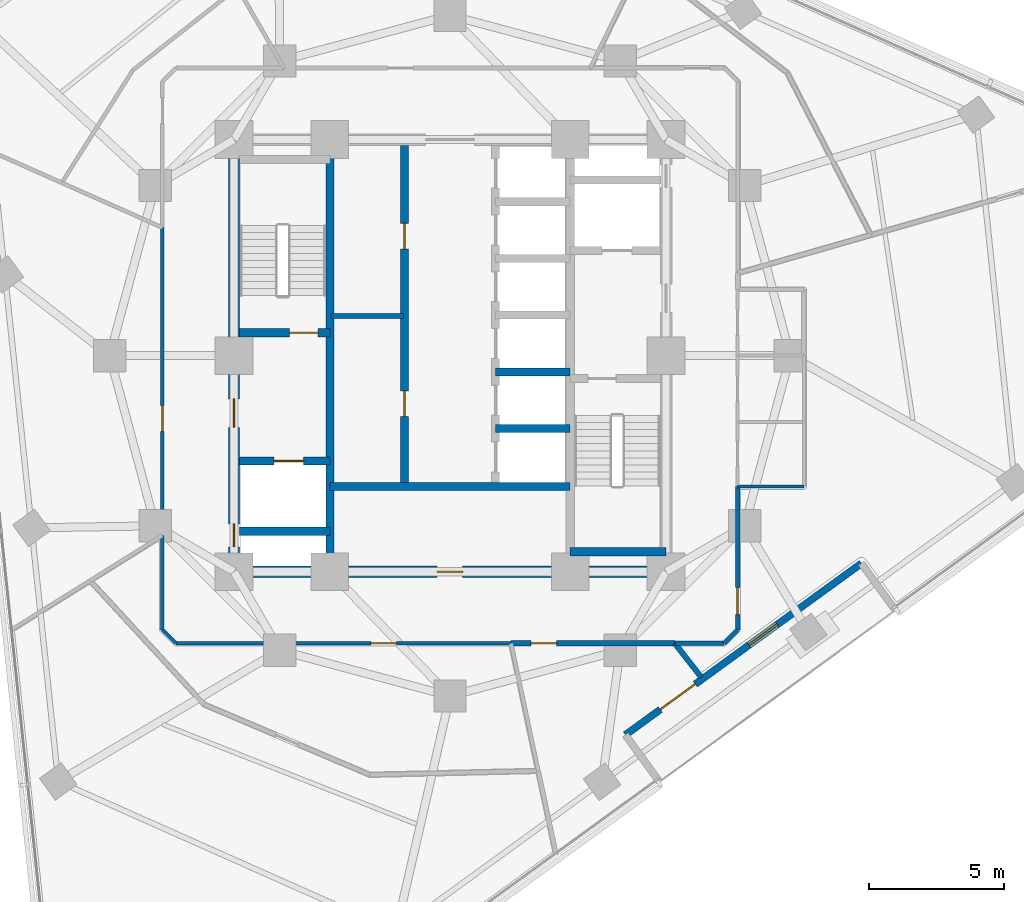
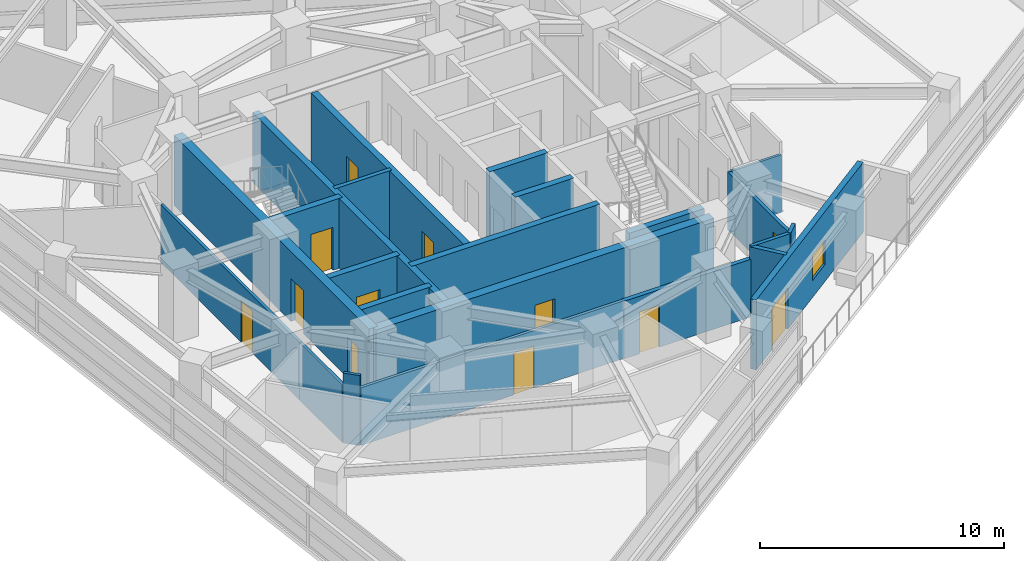
# One storey, part 8 of 14: 23 walls, 12 doors, 1 window, 13 openings.
"""IFC4 building model written with IfcOpenShell, lengths in metres."""

from ifc_helpers import new_model, si_unit, direction, frame, frame_2d, origin, place, context, subcontext, project, spatial, rectangle, extrude, material, layer, layer_set, type_object, element, fill, save


model = new_model("IFC4")

# Units and contexts
model_context = context("Model", 3, precision=1e-05, world=origin(), true_north=direction((0.0, 1.0)))
body_context = subcontext(model_context, "Body", "Model", "MODEL_VIEW")
ifc_project = project(units=[si_unit("LENGTHUNIT", "METRE"), si_unit("AREAUNIT", "SQUARE_METRE"), si_unit("VOLUMEUNIT", "CUBIC_METRE"), si_unit("PLANEANGLEUNIT", "RADIAN"), si_unit("MASSUNIT", "GRAM", prefix="KILO")], contexts=[model_context])

# Site, building, storey
site_placement = place(None, origin())
site = spatial("IfcSite", under=ifc_project, at=site_placement, CompositionType="ELEMENT")
building_placement = place(site_placement, origin())
building = spatial("IfcBuilding", under=site, at=building_placement, Name="Terralouvre Media Tower", CompositionType="ELEMENT")
storey_placement = place(building_placement, frame((0.0, 0.0, 158.300048828125)))
storey = spatial("IfcBuildingStorey", under=building, at=storey_placement, Name="L40", CompositionType="ELEMENT", Elevation=158.300048828125)

# Wall
ifc_material_1 = material(Name="Concrete C50/60", Category="concrete")
ifc_layer_1 = layer(ifc_material_1, 0.300048828125, Name="Core Internal Shaft Wall CW-300")
ifc_layer_set_1 = layer_set([ifc_layer_1], Name="Concrete C50/60")
wall_type_1 = type_object("IfcWallType", Name="Core Internal Shaft Wall CW-300", PredefinedType="SHEAR", material=ifc_layer_set_1)
wall_1_placement = place(storey_placement, frame((-4.449951171875, -7.7900390625, 0.0), z_axis=(0.0, 0.0, 1.0), x_axis=(0.0, 1.0, 0.0)))
element("IfcWall", 1, at=wall_1_placement, inside=storey, type_object=wall_type_1, Name="L40 Core Shaft Wall SPW", PredefinedType="SHEAR", context=body_context, shape_type="SweptSolid", body=[
    extrude(rectangle(XDim=15.580078125, YDim=0.300048828125, at=frame_2d((7.7900390625, 0.0))), origin(), (0.0, 0.0, 1.0), 3.5),
])

# Wall, opening, door
wall_2_placement = place(storey_placement, frame((-7.7900390625, 0.85009765625, 0.0), z_axis=(0.0, 0.0, 1.0), x_axis=(1.0, 0.0, 0.0)))
wall_2 = element("IfcWall", 2, at=wall_2_placement, inside=storey, type_object=wall_type_1, Name="L40 Core Shaft Wall ST1D", PredefinedType="SHEAR", context=body_context, shape_type="SweptSolid", body=[
    extrude(rectangle(XDim=3.340087890625, YDim=0.300048828125, at=frame_2d((1.669921875, 0.0))), origin(), (0.0, 0.0, 1.0), 3.5),
])
opening_1_placement = place(wall_2_placement, frame((1.85009765625, 0.0, 0.0)))
opening_1 = element("IfcOpeningElement", 3, at=opening_1_placement, cuts=wall_2, Name="Opening FD-01-105X215", PredefinedType="OPENING", context=body_context, shape_type="SweptSolid", body=[
    extrude(rectangle(XDim=1.050048828125, YDim=2.14990234375, at=frame_2d((0.52490234375, 1.074951171875))), frame((0.0, 0.159912109375, 0.0), z_axis=(0.0, -1.0, 0.0), x_axis=(1.0, 0.0, 0.0)), (0.0, 0.0, 1.0), 0.320068359375),
])
ifc_material_2 = material(Name="Galvanised steel fire-resisting leaf", Category="steel")
door_type_1 = type_object("IfcDoorType", Name="Stair and Firefighting Lobby Fire Door FD-01 (1050x2150)", OperationType="NOTDEFINED", PredefinedType="DOOR", material=ifc_material_2)
door_1_placement = place(opening_1_placement, origin())
door_1 = element("IfcDoor", 4, at=door_1_placement, inside=storey, type_object=door_type_1, Name="L40 ST-01 Exit Stair Door", OperationType="SINGLE_SWING_LEFT", OverallHeight=2.14990234375, OverallWidth=1.050048828125, PredefinedType="DOOR", context=body_context, shape_type="SweptSolid", body=[
    extrude(rectangle(XDim=1.050048828125, YDim=2.14990234375, at=frame_2d((0.52490234375, 1.074951171875))), frame((0.0, 0.02490234375, 0.0), z_axis=(0.0, -1.0, 0.0), x_axis=(1.0, 0.0, 0.0)), (0.0, 0.0, 1.0), 0.050048828125),
])
fill(opening_1, door_1)

# Wall
wall_3_placement = place(storey_placement, frame((4.449951171875, -7.260009765625, 0.0), z_axis=(0.0, 0.0, 1.0), x_axis=(1.0, 0.0, 0.0)))
element("IfcWall", 5, at=wall_3_placement, inside=storey, type_object=wall_type_1, Name="L40 Core Shaft Wall ST2F", PredefinedType="SHEAR", context=body_context, shape_type="SweptSolid", body=[
    extrude(rectangle(XDim=3.550048828125, YDim=0.300048828125, at=frame_2d((1.77490234375, 0.0))), origin(), (0.0, 0.0, 1.0), 3.5),
])

# Wall, opening, door
wall_4_placement = place(storey_placement, frame((-7.7900390625, -3.89990234375, 0.0), z_axis=(0.0, 0.0, 1.0), x_axis=(1.0, 0.0, 0.0)))
wall_4 = element("IfcWall", 6, at=wall_4_placement, inside=storey, type_object=wall_type_1, Name="L40 Core Shaft Wall FF1N", PredefinedType="SHEAR", context=body_context, shape_type="SweptSolid", body=[
    extrude(rectangle(XDim=3.340087890625, YDim=0.300048828125, at=frame_2d((1.669921875, 0.0))), origin(), (0.0, 0.0, 1.0), 3.5),
])
opening_2_placement = place(wall_4_placement, frame((1.27001953125, 0.0, 0.0)))
opening_2 = element("IfcOpeningElement", 7, at=opening_2_placement, cuts=wall_4, Name="Opening LD-FF", PredefinedType="OPENING", context=body_context, shape_type="SweptSolid", body=[
    extrude(rectangle(XDim=1.10009765625, YDim=2.10009765625, at=frame_2d((0.550048828125, 1.050048828125))), frame((0.0, 0.159912109375, 0.0), z_axis=(0.0, -1.0, 0.0), x_axis=(1.0, 0.0, 0.0)), (0.0, 0.0, 1.0), 0.320068359375),
])
ifc_material_3 = material(Name="Stainless steel 316 handrail and balustrade", Category="steel")
door_type_2 = type_object("IfcDoorType", Name="Firefighting Lift Sliding Landing Door LD-FF", OperationType="SLIDING_TO_LEFT", PredefinedType="DOOR", material=ifc_material_3)
door_2_placement = place(opening_2_placement, origin())
door_2 = element("IfcDoor", 8, at=door_2_placement, inside=storey, type_object=door_type_2, Name="L40 Firefighting Lift FFL-01 Landing Door", OperationType="SLIDING_TO_LEFT", OverallHeight=2.10009765625, OverallWidth=1.10009765625, PredefinedType="DOOR", context=body_context, shape_type="SweptSolid", body=[
    extrude(rectangle(XDim=1.10009765625, YDim=2.10009765625, at=frame_2d((0.550048828125, 1.050048828125))), frame((0.0, 0.02490234375, 0.0), z_axis=(0.0, -1.0, 0.0), x_axis=(1.0, 0.0, 0.0)), (0.0, 0.0, 1.0), 0.050048828125),
])
fill(opening_2, door_2)

# Walls
wall_5_placement = place(storey_placement, frame((-7.7900390625, -6.5, 0.0), z_axis=(0.0, 0.0, 1.0), x_axis=(1.0, 0.0, 0.0)))
element("IfcWall", 9, at=wall_5_placement, inside=storey, type_object=wall_type_1, Name="L40 Core Shaft Wall FF1S", PredefinedType="SHEAR", context=body_context, shape_type="SweptSolid", body=[
    extrude(rectangle(XDim=3.340087890625, YDim=0.300048828125, at=frame_2d((1.669921875, 0.0))), origin(), (0.0, 0.0, 1.0), 3.5),
])
wall_6_placement = place(storey_placement, frame((-4.449951171875, -4.85009765625, 0.0), z_axis=(0.0, 0.0, 1.0), x_axis=(1.0, 0.0, 0.0)))
element("IfcWall", 10, at=wall_6_placement, inside=storey, type_object=wall_type_1, Name="L40 Core Shaft Wall CSBN", PredefinedType="SHEAR", context=body_context, shape_type="SweptSolid", body=[
    extrude(rectangle(XDim=8.89990234375, YDim=0.300048828125, at=frame_2d((4.449951171875, 0.0))), origin(), (0.0, 0.0, 1.0), 3.5),
])

# Wall, openings, doors
wall_7_placement = place(storey_placement, frame((-1.679931640625, -4.85009765625, 0.0), z_axis=(0.0, 0.0, 1.0), x_axis=(0.0, 1.0, 0.0)))
wall_7 = element("IfcWall", 11, at=wall_7_placement, inside=storey, type_object=wall_type_1, Name="L40 Core Shaft Wall LBW", PredefinedType="SHEAR", context=body_context, shape_type="SweptSolid", body=[
    extrude(rectangle(XDim=12.64013671875, YDim=0.300048828125, at=frame_2d((6.320068359375, 0.0))), origin(), (0.0, 0.0, 1.0), 3.5),
])
opening_3_placement = place(wall_7_placement, frame((2.60009765625, 0.0, 0.0)))
opening_3 = element("IfcOpeningElement", 12, at=opening_3_placement, cuts=wall_7, Name="Opening FD-02-95X210", PredefinedType="OPENING", context=body_context, shape_type="SweptSolid", body=[
    extrude(rectangle(XDim=0.949951171875, YDim=2.10009765625, at=frame_2d((0.47509765625, 1.050048828125))), frame((0.0, 0.159912109375, 0.0), z_axis=(0.0, -1.0, 0.0), x_axis=(1.0, 0.0, 0.0)), (0.0, 0.0, 1.0), 0.320068359375),
])
opening_4_placement = place(wall_7_placement, frame((8.800048828125, 0.0, 0.0)))
opening_4 = element("IfcOpeningElement", 13, at=opening_4_placement, cuts=wall_7, Name="Opening FD-04-95X210", PredefinedType="OPENING", context=body_context, shape_type="SweptSolid", body=[
    extrude(rectangle(XDim=0.949951171875, YDim=2.10009765625, at=frame_2d((0.47509765625, 1.050048828125))), frame((0.0, 0.159912109375, 0.0), z_axis=(0.0, -1.0, 0.0), x_axis=(1.0, 0.0, 0.0)), (0.0, 0.0, 1.0), 0.320068359375),
])
ifc_material_4 = material(Name="Galvanised steel fire-resisting leaf", Category="steel")
door_type_3 = type_object("IfcDoorType", Name="Core Store and Service Fire Door FD-04 (950x2100)", OperationType="NOTDEFINED", PredefinedType="DOOR", material=ifc_material_4)
door_3_placement = place(opening_4_placement, origin())
door_3 = element("IfcDoor", 14, at=door_3_placement, inside=storey, type_object=door_type_3, Name="L40 Core Linen Store Door", OperationType="SINGLE_SWING_RIGHT", OverallHeight=2.10009765625, OverallWidth=0.949951171875, PredefinedType="DOOR", context=body_context, shape_type="SweptSolid", body=[
    extrude(rectangle(XDim=0.949951171875, YDim=2.10009765625, at=frame_2d((0.47509765625, 1.050048828125))), frame((0.0, 0.02490234375, 0.0), z_axis=(0.0, -1.0, 0.0), x_axis=(1.0, 0.0, 0.0)), (0.0, 0.0, 1.0), 0.050048828125),
])
fill(opening_4, door_3)
ifc_material_5 = material(Name="Galvanised steel fire-resisting leaf", Category="steel")
door_type_4 = type_object("IfcDoorType", Name="Plant and Riser Fire Door FD-02 (950x2100)", OperationType="NOTDEFINED", PredefinedType="DOOR", material=ifc_material_5)
door_4_placement = place(opening_3_placement, origin())
door_4 = element("IfcDoor", 15, at=door_4_placement, inside=storey, type_object=door_type_4, Name="L40 Core Fibre Patch Plant Door", OperationType="SINGLE_SWING_LEFT", OverallHeight=2.10009765625, OverallWidth=0.949951171875, PredefinedType="DOOR", context=body_context, shape_type="SweptSolid", body=[
    extrude(rectangle(XDim=0.949951171875, YDim=2.10009765625, at=frame_2d((0.47509765625, 1.050048828125))), frame((0.0, 0.02490234375, 0.0), z_axis=(0.0, -1.0, 0.0), x_axis=(1.0, 0.0, 0.0)), (0.0, 0.0, 1.0), 0.050048828125),
])
fill(opening_3, door_4)

# Walls
for number, where, z_axis, x_axis, name in (
    (16, (1.679931640625, -2.699951171875, 0.0), (0.0, 0.0, 1.0), (1.0, 0.0, 0.0), "L40 Core Shaft Wall PLHD1"),
    (17, (1.679931640625, -0.60009765625, 0.0), (0.0, 0.0, 1.0), (1.0, 0.0, 0.0), "L40 Core Shaft Wall PLHD2"),
):
    element("IfcWall", number, at=place(storey_placement, frame(where, z_axis=z_axis, x_axis=x_axis)), inside=storey, type_object=wall_type_1, Name=name, PredefinedType="SHEAR", context=body_context, shape_type="SweptSolid", body=[
        extrude(rectangle(XDim=2.77001953125, YDim=0.300048828125, at=frame_2d((1.385009765625, 0.0))), origin(), (0.0, 0.0, 1.0), 3.5),
    ])

# Wall, openings, doors
ifc_material_6 = material(Name="Concrete C60/75", Category="concrete")
ifc_layer_2 = layer(ifc_material_6, 0.419921875, Name="Core Reinforced Concrete Shear Wall CW-420")
ifc_layer_set_2 = layer_set([ifc_layer_2], Name="Concrete C60/75")
wall_type_2 = type_object("IfcWallType", Name="Core Reinforced Concrete Shear Wall CW-420", PredefinedType="SHEAR", material=ifc_layer_set_2)
wall_8_placement = place(storey_placement, frame((-8.0, -8.0, 0.0), z_axis=(0.0, 0.0, 1.0), x_axis=(0.0, 1.0, 0.0)))
wall_8 = element("IfcWall", 18, at=wall_8_placement, inside=storey, type_object=wall_type_2, Name="L40 W Core Shear Wall", PredefinedType="SHEAR", context=body_context, shape_type="SweptSolid", body=[
    extrude(rectangle(XDim=16.0, YDim=0.419921875, at=frame_2d((8.0, 0.0))), origin(), (0.0, 0.0, 1.0), 3.5),
])
opening_5_placement = place(wall_8_placement, frame((0.921630859375, 0.0, 0.0)))
opening_5 = element("IfcOpeningElement", 19, at=opening_5_placement, cuts=wall_8, Name="Opening TD-R1", PredefinedType="OPENING", context=body_context, shape_type="SweptSolid", body=[
    extrude(rectangle(XDim=0.85009765625, YDim=2.02001953125, at=frame_2d((0.425048828125, 1.010009765625))), frame((0.0, 0.219970703125, 0.0), z_axis=(0.0, -1.0, 0.0), x_axis=(1.0, 0.0, 0.0)), (0.0, 0.0, 1.0), 0.43994140625),
])
opening_6_placement = place(wall_8_placement, frame((5.35009765625, 0.0, 0.0)))
opening_6 = element("IfcOpeningElement", 20, at=opening_6_placement, cuts=wall_8, Name="Opening FD-01-105X215", PredefinedType="OPENING", context=body_context, shape_type="SweptSolid", body=[
    extrude(rectangle(XDim=1.050048828125, YDim=2.14990234375, at=frame_2d((0.52490234375, 1.074951171875))), frame((0.0, 0.219970703125, 0.0), z_axis=(0.0, -1.0, 0.0), x_axis=(1.0, 0.0, 0.0)), (0.0, 0.0, 1.0), 0.43994140625),
])
ifc_material_7 = material(Name="Galvanised steel fire-resisting leaf", Category="steel")
door_type_5 = type_object("IfcDoorType", Name="Riser Inspection Access Trapdoor TD-R1", OperationType="NOTDEFINED", PredefinedType="TRAPDOOR", material=ifc_material_7)
door_5_placement = place(opening_5_placement, origin())
door_5 = element("IfcDoor", 21, at=door_5_placement, inside=storey, type_object=door_type_5, Name="L40 Wet Riser Access Trapdoor", OperationType="SINGLE_SWING_LEFT", OverallHeight=2.02001953125, OverallWidth=0.85009765625, PredefinedType="TRAPDOOR", context=body_context, shape_type="SweptSolid", body=[
    extrude(rectangle(XDim=0.85009765625, YDim=2.02001953125, at=frame_2d((0.425048828125, 1.010009765625))), frame((0.0, 0.02490234375, 0.0), z_axis=(0.0, -1.0, 0.0), x_axis=(1.0, 0.0, 0.0)), (0.0, 0.0, 1.0), 0.050048828125),
])
fill(opening_5, door_5)
door_6_placement = place(opening_6_placement, origin())
door_6 = element("IfcDoor", 22, at=door_6_placement, inside=storey, type_object=door_type_1, Name="L40 West Firefighting Lobby Entry Door", OperationType="SINGLE_SWING_RIGHT", OverallHeight=2.14990234375, OverallWidth=1.050048828125, PredefinedType="DOOR", context=body_context, shape_type="SweptSolid", body=[
    extrude(rectangle(XDim=1.050048828125, YDim=2.14990234375, at=frame_2d((0.52490234375, 1.074951171875))), frame((0.0, 0.02490234375, 0.0), z_axis=(0.0, -1.0, 0.0), x_axis=(1.0, 0.0, 0.0)), (0.0, 0.0, 1.0), 0.050048828125),
])
fill(opening_6, door_6)

# Wall, opening, door
wall_9_placement = place(storey_placement, frame((-8.0, -8.0, 0.0), z_axis=(0.0, 0.0, 1.0), x_axis=(1.0, 0.0, 0.0)))
wall_9 = element("IfcWall", 23, at=wall_9_placement, inside=storey, type_object=wall_type_2, Name="L40 S Core Shear Wall", PredefinedType="SHEAR", context=body_context, shape_type="SweptSolid", body=[
    extrude(rectangle(XDim=16.0, YDim=0.419921875, at=frame_2d((8.0, 0.0))), origin(), (0.0, 0.0, 1.0), 3.5),
])
opening_7_placement = place(wall_9_placement, frame((7.52001953125, 0.0, 0.0)))
opening_7 = element("IfcOpeningElement", 24, at=opening_7_placement, cuts=wall_9, Name="Opening FD-02-95X210", PredefinedType="OPENING", context=body_context, shape_type="SweptSolid", body=[
    extrude(rectangle(XDim=0.949951171875, YDim=2.10009765625, at=frame_2d((0.47509765625, 1.050048828125))), frame((0.0, 0.219970703125, 0.0), z_axis=(0.0, -1.0, 0.0), x_axis=(1.0, 0.0, 0.0)), (0.0, 0.0, 1.0), 0.43994140625),
])
door_7_placement = place(opening_7_placement, origin())
door_7 = element("IfcDoor", 25, at=door_7_placement, inside=storey, type_object=door_type_4, Name="L40 Core Switchgear Plant Door", OperationType="SINGLE_SWING_LEFT", OverallHeight=2.10009765625, OverallWidth=0.949951171875, PredefinedType="DOOR", context=body_context, shape_type="SweptSolid", body=[
    extrude(rectangle(XDim=0.949951171875, YDim=2.10009765625, at=frame_2d((0.47509765625, 1.050048828125))), frame((0.0, 0.02490234375, 0.0), z_axis=(0.0, -1.0, 0.0), x_axis=(1.0, 0.0, 0.0)), (0.0, 0.0, 1.0), 0.050048828125),
])
fill(opening_7, door_7)

# Wall
ifc_material_8 = material(Name="Fire-rated gypsum board drywall partition")
ifc_layer_3 = layer(ifc_material_8, 0.199951171875, Name="Fire-Rated Shaft and Lobby Partition FW-200")
ifc_layer_set_3 = layer_set([ifc_layer_3], Name="Fire-rated gypsum board drywall partition")
wall_type_3 = type_object("IfcWallType", Name="Fire-Rated Shaft and Lobby Partition FW-200", PredefinedType="SOLIDWALL", material=ifc_layer_set_3)
wall_10_placement = place(storey_placement, frame((-4.39990234375, 1.469970703125, 0.0), z_axis=(0.0, 0.0, 1.0), x_axis=(1.0, 0.0, 0.0)))
element("IfcWall", 26, at=wall_10_placement, inside=storey, type_object=wall_type_3, Name="L40 Core West Sub-Partition 1", PredefinedType="SOLIDWALL", context=body_context, shape_type="SweptSolid", body=[
    extrude(rectangle(XDim=2.679931640625, YDim=0.199951171875, at=frame_2d((1.33984375, 0.0))), origin(), (0.0, 0.0, 1.0), 3.5),
])

# Wall, opening, door
wall_11_placement = place(storey_placement, frame((2.263916015625, -10.64990234375, 0.0), z_axis=(0.0, 0.0, 1.0), x_axis=(1.0, 0.0, 0.0)))
wall_11 = element("IfcWall", 27, at=wall_11_placement, inside=storey, type_object=wall_type_3, Name="L40 Interior Partition 005", PredefinedType="SOLIDWALL", context=body_context, shape_type="SweptSolid", body=[
    extrude(rectangle(XDim=6.05712890625, YDim=0.199951171875, at=frame_2d((3.028564453125, 0.0))), origin(), (0.0, 0.0, 1.0), 2.885009765625),
])
opening_8_placement = place(wall_11_placement, frame((0.736328125, 0.0, 0.0)))
opening_8 = element("IfcOpeningElement", 28, at=opening_8_placement, cuts=wall_11, Name="Opening FD-02-95X210", PredefinedType="OPENING", context=body_context, shape_type="SweptSolid", body=[
    extrude(rectangle(XDim=0.949951171875, YDim=2.10009765625, at=frame_2d((0.47509765625, 1.050048828125))), frame((0.0, 0.10986328125, 0.0), z_axis=(0.0, -1.0, 0.0), x_axis=(1.0, 0.0, 0.0)), (0.0, 0.0, 1.0), 0.219970703125),
])
door_8_placement = place(opening_8_placement, origin())
door_8 = element("IfcDoor", 29, at=door_8_placement, inside=storey, type_object=door_type_4, Name="L40 Lighting Dimmer Switch Room 4 Door", OperationType="SINGLE_SWING_RIGHT", OverallHeight=2.10009765625, OverallWidth=0.949951171875, PredefinedType="DOOR", context=body_context, shape_type="SweptSolid", body=[
    extrude(rectangle(XDim=0.949951171875, YDim=2.10009765625, at=frame_2d((0.47509765625, 1.050048828125))), frame((0.0, 0.02490234375, 0.0), z_axis=(0.0, -1.0, 0.0), x_axis=(1.0, 0.0, 0.0)), (0.0, 0.0, 1.0), 0.050048828125),
])
fill(opening_8, door_8)

# Wall
wall_12_placement = place(storey_placement, frame((9.299560546875, -11.902587890625, 0.0), z_axis=(0.0, 0.0, 1.0), x_axis=(-0.615587410594, 0.788068613712, 0.0)))
element("IfcWall", 30, at=wall_12_placement, inside=storey, type_object=wall_type_3, Name="L40 Interior Partition 029", PredefinedType="SOLIDWALL", context=body_context, shape_type="SweptSolid", body=[
    extrude(rectangle(XDim=1.589599609375, YDim=0.199951171875, at=frame_2d((0.794921875, 0.0))), origin(), (0.0, 0.0, 1.0), 3.5),
])

# Wall, opening, door
ifc_material_9 = material(Name="Fire-rated gypsum board drywall partition")
ifc_layer_4 = layer(ifc_material_9, 0.135009765625, Name="Newsroom Acoustic Partition PT-135")
ifc_layer_set_4 = layer_set([ifc_layer_4], Name="Fire-rated gypsum board drywall partition")
wall_type_4 = type_object("IfcWallType", Name="Newsroom Acoustic Partition PT-135", PredefinedType="PARTITIONING", material=ifc_layer_set_4)
wall_13_placement = place(storey_placement, frame((-10.64990234375, 4.741943359375, 0.0), z_axis=(0.0, 0.0, 1.0), x_axis=(0.0, -1.0, 0.0)))
wall_13 = element("IfcWall", 31, at=wall_13_placement, inside=storey, type_object=wall_type_4, Name="L40 Interior Partition 001", PredefinedType="PARTITIONING", context=body_context, shape_type="SweptSolid", body=[
    extrude(rectangle(XDim=11.39697265625, YDim=0.135009765625, at=frame_2d((5.698486328125, 0.0))), origin(), (0.0, 0.0, 1.0), 2.885009765625),
])
opening_9_placement = place(wall_13_placement, frame((6.591064453125, 0.0, 0.0)))
opening_9 = element("IfcOpeningElement", 32, at=opening_9_placement, cuts=wall_13, Name="Opening ID-02-95X210", PredefinedType="OPENING", context=body_context, shape_type="SweptSolid", body=[
    extrude(rectangle(XDim=0.949951171875, YDim=2.10009765625, at=frame_2d((0.47509765625, 1.050048828125))), frame((0.0, 0.077392578125, 0.0), z_axis=(0.0, -1.0, 0.0), x_axis=(1.0, 0.0, 0.0)), (0.0, 0.0, 1.0), 0.155029296875),
])
ifc_material_10 = material(Name="Engineered hardwood acoustic timber leaf", Category="wood")
door_type_6 = type_object("IfcDoorType", Name="Office and Meeting Room Door ID-02 (950x2100)", OperationType="NOTDEFINED", PredefinedType="DOOR", material=ifc_material_10)
door_9_placement = place(opening_9_placement, origin())
door_9 = element("IfcDoor", 33, at=door_9_placement, inside=storey, type_object=door_type_6, Name="L40 Equipment Locker 1 Door", OperationType="SINGLE_SWING_RIGHT", OverallHeight=2.10009765625, OverallWidth=0.949951171875, PredefinedType="DOOR", context=body_context, shape_type="SweptSolid", body=[
    extrude(rectangle(XDim=0.949951171875, YDim=2.10009765625, at=frame_2d((0.47509765625, 1.050048828125))), frame((0.0, 0.02490234375, 0.0), z_axis=(0.0, -1.0, 0.0), x_axis=(1.0, 0.0, 0.0)), (0.0, 0.0, 1.0), 0.050048828125),
])
fill(opening_9, door_9)

# Walls
wall_14_placement = place(storey_placement, frame((-10.64990234375, -6.655029296875, 0.0), z_axis=(0.0, 0.0, 1.0), x_axis=(0.0, -1.0, 0.0)))
element("IfcWall", 34, at=wall_14_placement, inside=storey, type_object=wall_type_4, Name="L40 Interior Partition 002", PredefinedType="PARTITIONING", context=body_context, shape_type="SweptSolid", body=[
    extrude(rectangle(XDim=3.494873046875, YDim=0.135009765625, at=frame_2d((1.74755859375, 0.0))), origin(), (0.0, 0.0, 1.0), 2.885009765625),
])
wall_15_placement = place(storey_placement, frame((-10.64990234375, -10.14990234375, 0.0), z_axis=(0.0, 0.0, 1.0), x_axis=(0.707106781187, -0.707106781187, 0.0)))
element("IfcWall", 35, at=wall_15_placement, inside=storey, type_object=wall_type_4, Name="L40 Interior Partition 003", PredefinedType="PARTITIONING", context=body_context, shape_type="SweptSolid", body=[
    extrude(rectangle(XDim=0.70703125, YDim=0.135009765625, at=frame_2d((0.353515625, 0.0))), origin(), (0.0, 0.0, 1.0), 3.5),
])

# Wall, opening, door
wall_16_placement = place(storey_placement, frame((-10.14990234375, -10.64990234375, 0.0), z_axis=(0.0, 0.0, 1.0), x_axis=(1.0, 0.0, 0.0)))
wall_16 = element("IfcWall", 36, at=wall_16_placement, inside=storey, type_object=wall_type_4, Name="L40 Interior Partition 004", PredefinedType="PARTITIONING", context=body_context, shape_type="SweptSolid", body=[
    extrude(rectangle(XDim=12.413818359375, YDim=0.135009765625, at=frame_2d((6.20703125, 0.0))), origin(), (0.0, 0.0, 1.0), 2.885009765625),
])
opening_10_placement = place(wall_16_placement, frame((7.2216796875, 0.0, 0.0)))
opening_10 = element("IfcOpeningElement", 37, at=opening_10_placement, cuts=wall_16, Name="Opening ID-02-95X210", PredefinedType="OPENING", context=body_context, shape_type="SweptSolid", body=[
    extrude(rectangle(XDim=0.949951171875, YDim=2.10009765625, at=frame_2d((0.47509765625, 1.050048828125))), frame((0.0, 0.077392578125, 0.0), z_axis=(0.0, -1.0, 0.0), x_axis=(1.0, 0.0, 0.0)), (0.0, 0.0, 1.0), 0.155029296875),
])
door_10_placement = place(opening_10_placement, origin())
door_10 = element("IfcDoor", 38, at=door_10_placement, inside=storey, type_object=door_type_6, Name="L40 Broadcast Floor Crew Room 3 Door", OperationType="SINGLE_SWING_LEFT", OverallHeight=2.10009765625, OverallWidth=0.949951171875, PredefinedType="DOOR", context=body_context, shape_type="SweptSolid", body=[
    extrude(rectangle(XDim=0.949951171875, YDim=2.10009765625, at=frame_2d((0.47509765625, 1.050048828125))), frame((0.0, 0.02490234375, 0.0), z_axis=(0.0, -1.0, 0.0), x_axis=(1.0, 0.0, 0.0)), (0.0, 0.0, 1.0), 0.050048828125),
])
fill(opening_10, door_10)

# Wall, openings, window, door
ifc_material_11 = material(Name="Kiln-fired architectural terracotta rainscreen cladding", Category="masonry")
ifc_layer_5 = layer(ifc_material_11, 0.260009765625, Name="Recessed Sky-Garden Acoustic Wall EW-SG260")
ifc_layer_set_5 = layer_set([ifc_layer_5], Name="Kiln-fired architectural terracotta rainscreen cladding")
wall_type_5 = type_object("IfcWallType", Name="Recessed Sky-Garden Acoustic Wall EW-SG260", PredefinedType="SOLIDWALL", material=ifc_layer_set_5)
wall_17_placement = place(storey_placement, frame((6.492919921875, -14.04052734375, 0.0), z_axis=(0.0, 0.0, 1.0), x_axis=(0.80901166244, 0.587792591002, 0.0)))
wall_17 = element("IfcWall", 39, at=wall_17_placement, inside=storey, type_object=wall_type_5, Name="L40 SG Recessed Loggia Back Wall", PredefinedType="SOLIDWALL", context=body_context, shape_type="SweptSolid", body=[
    extrude(rectangle(XDim=10.800048828125, YDim=0.260009765625, at=frame_2d((5.39990234375, 0.0))), origin(), (0.0, 0.0, 1.0), 3.5),
])
opening_11_placement = place(wall_17_placement, frame((1.60009765625, 0.0, 0.0)))
opening_11 = element("IfcOpeningElement", 40, at=opening_11_placement, cuts=wall_17, Name="Opening TD-01", PredefinedType="OPENING", context=body_context, shape_type="SweptSolid", body=[
    extrude(rectangle(XDim=1.60009765625, YDim=2.080078125, at=frame_2d((0.800048828125, 1.0400390625))), frame((0.0, 0.139892578125, 0.0), z_axis=(0.0, -1.0, 0.0), x_axis=(1.0, 0.0, 0.0)), (0.0, 0.0, 1.0), 0.280029296875),
])
opening_12_placement = place(wall_17_placement, frame((5.64990234375, 0.0, 0.85009765625)))
opening_12 = element("IfcOpeningElement", 41, at=opening_12_placement, cuts=wall_17, Name="Opening W-03", PredefinedType="OPENING", context=body_context, shape_type="SweptSolid", body=[
    extrude(rectangle(XDim=1.300048828125, YDim=1.25, at=frame_2d((0.64990234375, 0.625))), frame((0.0, 0.139892578125, 0.0), z_axis=(0.0, -1.0, 0.0), x_axis=(1.0, 0.0, 0.0)), (0.0, 0.0, 1.0), 0.280029296875),
])
ifc_material_12 = material(Name="Low-iron laminated double glazing with solar-control coating", Category="glass")
window_type = type_object("IfcWindowType", Name="Sky-Garden Loggia Window W-03", PartitioningType="SINGLE_PANEL", PredefinedType="WINDOW", material=ifc_material_12)
window_placement = place(opening_12_placement, origin())
window = element("IfcWindow", 42, at=window_placement, inside=storey, type_object=window_type, Name="L40 Pocket Loggia Window 1", OverallHeight=1.25, OverallWidth=1.300048828125, PartitioningType="SINGLE_PANEL", PredefinedType="WINDOW", context=body_context, shape_type="SweptSolid", body=[
    extrude(rectangle(XDim=1.300048828125, YDim=1.25, at=frame_2d((0.64990234375, 0.625))), frame((0.0, 0.030029296875, 0.0), z_axis=(0.0, -1.0, 0.0), x_axis=(1.0, 0.0, 0.0)), (0.0, 0.0, 1.0), 0.06005859375),
])
fill(opening_12, window)
ifc_material_13 = material(Name="Anodised extruded aluminium 6063-T6", Category="aluminium")
door_type_7 = type_object("IfcDoorType", Name="Sky-Garden Terrace Double Door TD-01", OperationType="DOUBLE_DOOR_SLIDING", PredefinedType="DOOR", material=ifc_material_13)
door_11_placement = place(opening_11_placement, frame((1.60009765625, 0.0, 0.0), z_axis=(0.0, 0.0, 1.0), x_axis=(-1.0, 0.0, 0.0)))
door_11 = element("IfcDoor", 43, at=door_11_placement, inside=storey, type_object=door_type_7, Name="L40 Sky-Garden Terrace Door", OperationType="DOUBLE_DOOR_SLIDING", OverallHeight=2.080078125, OverallWidth=1.60009765625, PredefinedType="DOOR", context=body_context, shape_type="SweptSolid", body=[
    extrude(rectangle(XDim=1.60009765625, YDim=2.080078125, at=frame_2d((0.800048828125, 1.0400390625))), frame((0.0, 0.02490234375, 0.0), z_axis=(0.0, -1.0, 0.0), x_axis=(1.0, 0.0, 0.0)), (0.0, 0.0, 1.0), 0.050048828125),
])
fill(opening_11, door_11)

# Walls
ifc_material_14 = material(Name="Fire-rated gypsum board drywall partition")
ifc_layer_6 = layer(ifc_material_14, 0.114990234375, Name="Restroom and Pantry Partition PT-115")
ifc_layer_set_6 = layer_set([ifc_layer_6], Name="Fire-rated gypsum board drywall partition")
wall_type_6 = type_object("IfcWallType", Name="Restroom and Pantry Partition PT-115", PredefinedType="PARTITIONING", material=ifc_layer_set_6)
wall_18_placement = place(storey_placement, frame((10.64990234375, -4.85009765625, 0.0), z_axis=(0.0, 0.0, 1.0), x_axis=(1.0, 0.0, 0.0)))
element("IfcWall", 44, at=wall_18_placement, inside=storey, type_object=wall_type_6, Name="L40 Interior Partition 031", PredefinedType="PARTITIONING", context=body_context, shape_type="SweptSolid", body=[
    extrude(rectangle(XDim=2.4501953125, YDim=0.114990234375, at=frame_2d((1.22509765625, 0.0))), origin(), (0.0, 0.0, 1.0), 2.885009765625),
])
ifc_material_15 = material(Name="Fire-rated gypsum board drywall partition")
ifc_layer_7 = layer(ifc_material_15, 0.159912109375, Name="Studio Acoustic Rated Partition PT-160")
ifc_layer_set_7 = layer_set([ifc_layer_7], Name="Fire-rated gypsum board drywall partition")
wall_type_7 = type_object("IfcWallType", Name="Studio Acoustic Rated Partition PT-160", PredefinedType="PARTITIONING", material=ifc_layer_set_7)
wall_19_placement = place(storey_placement, frame((8.321044921875, -10.64990234375, 0.0), z_axis=(0.0, 0.0, 1.0), x_axis=(1.0, 0.0, 0.0)))
element("IfcWall", 45, at=wall_19_placement, inside=storey, type_object=wall_type_7, Name="L40 Interior Partition 008", PredefinedType="PARTITIONING", context=body_context, shape_type="SweptSolid", body=[
    extrude(rectangle(XDim=1.828857421875, YDim=0.159912109375, at=frame_2d((0.91455078125, 0.0))), origin(), (0.0, 0.0, 1.0), 3.5),
])
wall_20_placement = place(storey_placement, frame((10.14990234375, -10.64990234375, 0.0), z_axis=(0.0, 0.0, 1.0), x_axis=(0.707106781187, 0.707106781187, 0.0)))
element("IfcWall", 46, at=wall_20_placement, inside=storey, type_object=wall_type_7, Name="L40 Interior Partition 009", PredefinedType="PARTITIONING", context=body_context, shape_type="SweptSolid", body=[
    extrude(rectangle(XDim=0.70703125, YDim=0.159912109375, at=frame_2d((0.353515625, 0.0))), origin(), (0.0, 0.0, 1.0), 3.5),
])

# Wall, opening, door
wall_21_placement = place(storey_placement, frame((10.64990234375, -10.14990234375, 0.0), z_axis=(0.0, 0.0, 1.0), x_axis=(0.0, 1.0, 0.0)))
wall_21 = element("IfcWall", 47, at=wall_21_placement, inside=storey, type_object=wall_type_7, Name="L40 Interior Partition 010", PredefinedType="PARTITIONING", context=body_context, shape_type="SweptSolid", body=[
    extrude(rectangle(XDim=5.2998046875, YDim=0.159912109375, at=frame_2d((2.64990234375, 0.0))), origin(), (0.0, 0.0, 1.0), 2.885009765625),
])
opening_13_placement = place(wall_21_placement, frame((0.56005859375, 0.0, 0.0)))
opening_13 = element("IfcOpeningElement", 48, at=opening_13_placement, cuts=wall_21, Name="Opening ID-01-100X215", PredefinedType="OPENING", context=body_context, shape_type="SweptSolid", body=[
    extrude(rectangle(XDim=1.0, YDim=2.14990234375, at=frame_2d((0.5, 1.074951171875))), frame((0.0, 0.08984375, 0.0), z_axis=(0.0, -1.0, 0.0), x_axis=(1.0, 0.0, 0.0)), (0.0, 0.0, 1.0), 0.179931640625),
])
ifc_material_16 = material(Name="Engineered hardwood acoustic timber leaf", Category="wood")
door_type_8 = type_object("IfcDoorType", Name="Broadcast Studio Acoustic Single Door ID-01 (1000x2150)", OperationType="NOTDEFINED", PredefinedType="DOOR", material=ifc_material_16)
door_12_placement = place(opening_13_placement, origin())
door_12 = element("IfcDoor", 49, at=door_12_placement, inside=storey, type_object=door_type_8, Name="L40 Preview Screening Cinema 5 Door", OperationType="SINGLE_SWING_LEFT", OverallHeight=2.14990234375, OverallWidth=1.0, PredefinedType="DOOR", context=body_context, shape_type="SweptSolid", body=[
    extrude(rectangle(XDim=1.0, YDim=2.14990234375, at=frame_2d((0.5, 1.074951171875))), frame((0.0, 0.02490234375, 0.0), z_axis=(0.0, -1.0, 0.0), x_axis=(1.0, 0.0, 0.0)), (0.0, 0.0, 1.0), 0.050048828125),
])
fill(opening_13, door_12)

save(model, "model.ifc")
